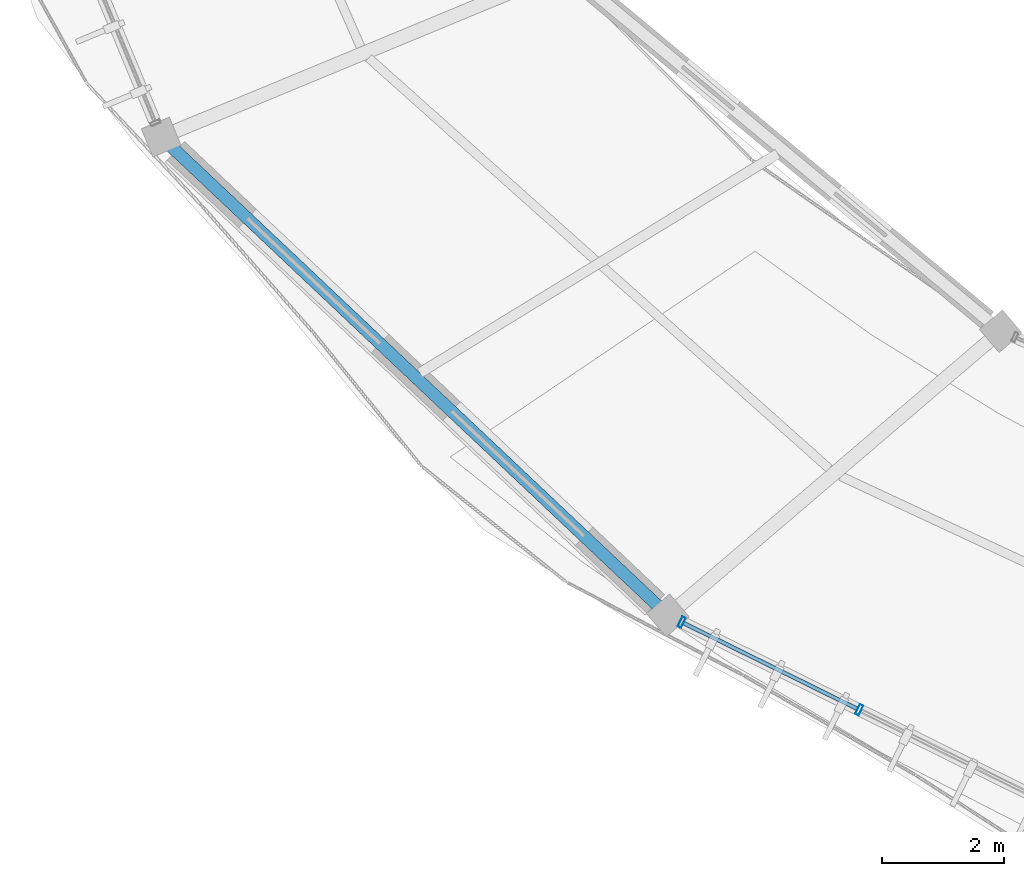
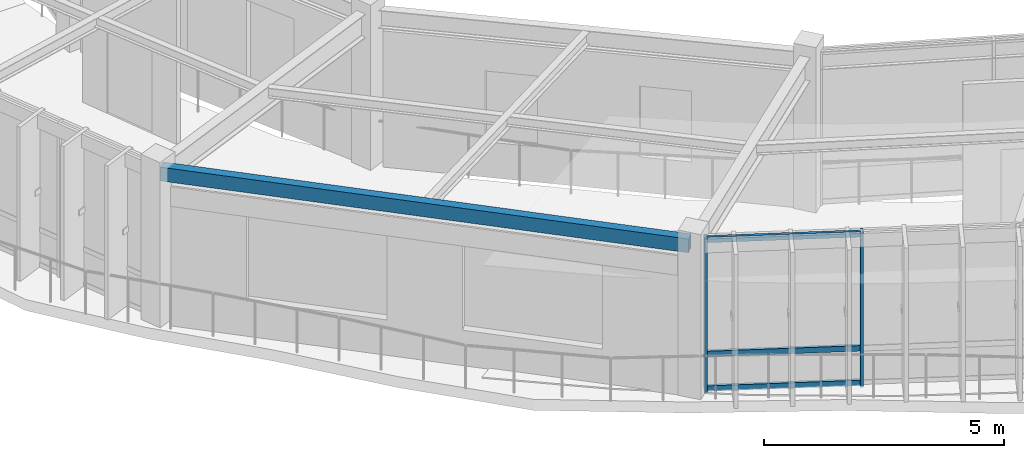
# One storey, part 2 of 78: 5 members, 1 beam, 1 element without a shape of its own.
"""IFC4 building model written with IfcOpenShell, lengths in metres."""

from ifc_helpers import new_model, si_unit, direction, frame, origin, origin_2d, place, context, subcontext, project, spatial, hollow_rectangle, extrude, material, material_profile, profile_set, type_object, element, aggregate, save


model = new_model("IFC4")

# Units and contexts
model_context = context("Model", 3, precision=1e-05, world=origin(), true_north=direction((0.0, 1.0)))
body_context = subcontext(model_context, "Body", "Model", "MODEL_VIEW")
ifc_project = project(units=[si_unit("LENGTHUNIT", "METRE"), si_unit("AREAUNIT", "SQUARE_METRE"), si_unit("VOLUMEUNIT", "CUBIC_METRE"), si_unit("PLANEANGLEUNIT", "RADIAN"), si_unit("MASSUNIT", "GRAM", prefix="KILO"), si_unit("THERMODYNAMICTEMPERATUREUNIT", "KELVIN"), si_unit("POWERUNIT", "WATT")], contexts=[model_context])

# Site, building, storey
site_placement = place(None, origin())
site = spatial("IfcSite", under=ifc_project, at=site_placement, CompositionType="ELEMENT")
building_placement = place(site_placement, origin())
building = spatial("IfcBuilding", under=site, at=building_placement, Name="Darbajah Civic Hall", CompositionType="ELEMENT")
storey_placement = place(building_placement, frame((0.0, 0.0, 26.39990234375)))
storey = spatial("IfcBuildingStorey", under=building, at=storey_placement, Name="L06", CompositionType="ELEMENT", Elevation=26.39990234375)

# Curtain wall, members
ifc_material_1 = material(Name="Anodised Bronze Aluminium and Low-E Glazing", Category="aluminium")
curtain_wall_type = type_object("IfcCurtainWallType", Name="Unitised Curtain Wall CW-83 13000x3900", PredefinedType="USERDEFINED", material=ifc_material_1)
curtain_wall_placement = place(storey_placement, origin())
curtain_wall = element("IfcCurtainWall", 1, at=curtain_wall_placement, inside=storey, type_object=curtain_wall_type, Name="L06 unitised curtain wall CW-V1O-L06-12", ObjectType="UNITISED CURTAIN WALL", PredefinedType="USERDEFINED")
ifc_material_2 = material(Name="Anodised Bronze Aluminium", Category="aluminium")
ifc_material_profile_1 = material_profile(ifc_material_2, hollow_rectangle(XDim=0.06494140625, YDim=0.179931640625, WallThickness=0.00390625, at=origin_2d()), Name="ALU MULLION 65x180")
ifc_profile_set_1 = profile_set([ifc_material_profile_1], Name="Anodised Bronze Aluminium")
member_type_1 = type_object("IfcMemberType", Name="ALU MULLION 65x180", PredefinedType="MULLION", material=ifc_profile_set_1)
member_1_placement = place(storey_placement, frame((50.545166015625, 70.52978515625, 0.0), z_axis=(0.0, 0.0, 1.0), x_axis=(0.89656374724, -0.442914717678, 0.0)))
member_1 = element("IfcMember", 2, at=member_1_placement, type_object=member_type_1, Name="CW-V1O-L06-12 mullion 1", PredefinedType="MULLION", context=body_context, shape_type="SweptSolid", body=[
    extrude(hollow_rectangle(XDim=0.06494140625, YDim=0.179931640625, WallThickness=0.00390625, at=origin_2d()), origin(), (0.0, 0.0, 1.0), 3.920166015625),
])
member_2_placement = place(storey_placement, frame((53.465576171875, 69.0869140625, 0.0), z_axis=(0.0, 0.0, 1.0), x_axis=(0.89656374724, -0.442914717678, 0.0)))
member_2 = element("IfcMember", 3, at=member_2_placement, type_object=member_type_1, Name="CW-V1O-L06-12 mullion 2", PredefinedType="MULLION", context=body_context, shape_type="SweptSolid", body=[
    extrude(hollow_rectangle(XDim=0.06494140625, YDim=0.179931640625, WallThickness=0.00390625, at=origin_2d()), origin(), (0.0, 0.0, 1.0), 3.920166015625),
])
ifc_material_profile_2 = material_profile(ifc_material_2, hollow_rectangle(XDim=0.06494140625, YDim=0.139892578125, WallThickness=0.00341796875, at=origin_2d()), Name="ALU TRANSOM 65x140")
ifc_profile_set_2 = profile_set([ifc_material_profile_2], Name="Anodised Bronze Aluminium")
member_type_2 = type_object("IfcMemberType", Name="ALU TRANSOM 65x140", PredefinedType="USERDEFINED", material=ifc_profile_set_2)
member_3_placement = place(storey_placement, frame((50.578857421875, 70.51318359375, 0.070068359375), z_axis=(0.896534601276, -0.442973711087, 0.0), x_axis=(0.442973711087, 0.896534601276, 0.0)))
member_3 = element("IfcMember", 4, at=member_3_placement, type_object=member_type_2, Name="CW-V1O-L06-12 transom 1.1", ObjectType="TRANSOM", PredefinedType="USERDEFINED", context=body_context, shape_type="SweptSolid", body=[
    extrude(hollow_rectangle(XDim=0.06494140625, YDim=0.139892578125, WallThickness=0.00341796875, at=origin_2d()), origin(), (0.0, 0.0, 1.0), 3.182373046875),
])
member_4_placement = place(storey_placement, frame((50.578857421875, 70.51318359375, 0.9501953125), z_axis=(0.896534601276, -0.442973711087, 0.0), x_axis=(0.442973711087, 0.896534601276, 0.0)))
member_4 = element("IfcMember", 5, at=member_4_placement, type_object=member_type_2, Name="CW-V1O-L06-12 transom 1.2", ObjectType="TRANSOM", PredefinedType="USERDEFINED", context=body_context, shape_type="SweptSolid", body=[
    extrude(hollow_rectangle(XDim=0.06494140625, YDim=0.139892578125, WallThickness=0.00341796875, at=origin_2d()), origin(), (0.0, 0.0, 1.0), 3.182373046875),
])
member_5_placement = place(storey_placement, frame((50.578857421875, 70.51318359375, 3.85009765625), z_axis=(0.896534601276, -0.442973711087, 0.0), x_axis=(0.442973711087, 0.896534601276, 0.0)))
member_5 = element("IfcMember", 6, at=member_5_placement, type_object=member_type_2, Name="CW-V1O-L06-12 transom 1.3", ObjectType="TRANSOM", PredefinedType="USERDEFINED", context=body_context, shape_type="SweptSolid", body=[
    extrude(hollow_rectangle(XDim=0.06494140625, YDim=0.139892578125, WallThickness=0.00341796875, at=origin_2d()), origin(), (0.0, 0.0, 1.0), 3.182373046875),
])
aggregate(curtain_wall, [member_1, member_2, member_3, member_4, member_5])

# Beam
ifc_material_3 = material(Name="Steel S355JR", Category="steel")
ifc_material_profile_3 = material_profile(ifc_material_3, hollow_rectangle(XDim=0.199951171875, YDim=0.35009765625, WallThickness=0.012451171875, at=origin_2d()), Name="RHS 350x200x12.5")
ifc_profile_set_3 = profile_set([ifc_material_profile_3], Name="Steel S355JR")
beam_type = type_object("IfcBeamType", Name="RHS 350x200x12.5", PredefinedType="SPANDREL", material=ifc_profile_set_3)
beam_placement = place(storey_placement, frame((42.040283203125, 78.455810546875, 3.7451171875), z_axis=(0.727210771045, -0.686414229512, 0.0), x_axis=(0.686414229512, 0.727210771045, 0.0)))
element("IfcBeam", 7, at=beam_placement, inside=storey, type_object=beam_type, Name="L06 beam SP-RHS350", PredefinedType="SPANDREL", context=body_context, shape_type="SweptSolid", body=[
    extrude(hollow_rectangle(XDim=0.199951171875, YDim=0.35009765625, WallThickness=0.012451171875, at=origin_2d()), origin(), (0.0, 0.0, 1.0), 11.304443359375),
])

save(model, "model.ifc")
